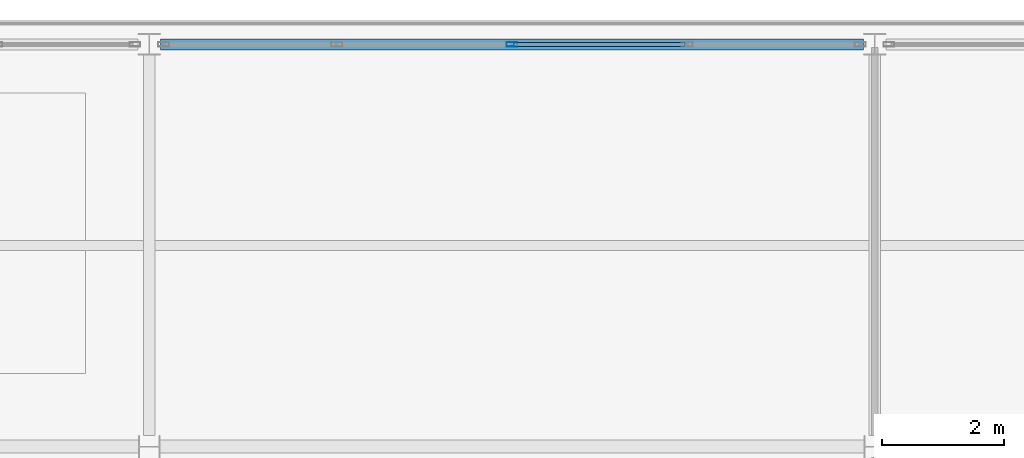
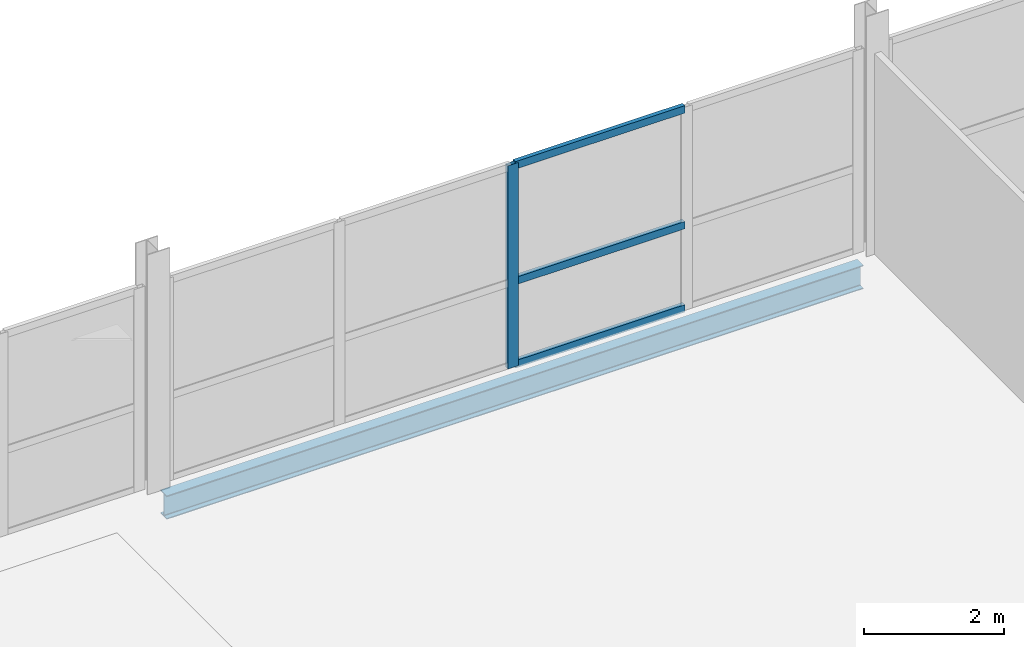
# One storey, part 8 of 17: 4 members, 1 beam, 1 element without a shape of its own.
"""IFC4 building model written with IfcOpenShell, lengths in metres."""

from ifc_helpers import new_model, si_unit, direction, frame, origin, origin_2d, place, context, subcontext, project, spatial, hollow_rectangle, i_section, extrude, material, layer, layer_set, material_profile, profile_set, type_object, element, aggregate, save


model = new_model("IFC4")

# Units and contexts
model_context = context("Model", 3, precision=1e-05, world=origin(), true_north=direction((0.0, 1.0)))
body_context = subcontext(model_context, "Body", "Model", "MODEL_VIEW")
ifc_project = project(units=[si_unit("LENGTHUNIT", "METRE"), si_unit("AREAUNIT", "SQUARE_METRE"), si_unit("VOLUMEUNIT", "CUBIC_METRE"), si_unit("PLANEANGLEUNIT", "RADIAN"), si_unit("MASSUNIT", "GRAM", prefix="KILO")], contexts=[model_context])

# Site, building, storey
site_placement = place(None, origin())
site = spatial("IfcSite", under=ifc_project, at=site_placement, CompositionType="ELEMENT")
building_placement = place(site_placement, origin())
building = spatial("IfcBuilding", under=site, at=building_placement, Name="Quillay Park Conservatory", CompositionType="ELEMENT")
storey_placement = place(building_placement, frame((0.0, 0.0, 56.10009765625)))
storey = spatial("IfcBuildingStorey", under=building, at=storey_placement, Name="L13", CompositionType="ELEMENT", Elevation=56.10009765625)

# Curtain wall, members
ifc_material_1 = material(Name="Thermally Broken Anodised Aluminium 6063-T6", Category="aluminium")
ifc_layer = layer(ifc_material_1, 0.179931640625)
ifc_layer_set = layer_set([ifc_layer], Name="UNITISED CURTAIN WALL TOWER (Thermally Broken Anodised Aluminium 6063-T6)")
curtain_wall_type = type_object("IfcCurtainWallType", Name="UNITISED CURTAIN WALL TOWER", PredefinedType="USERDEFINED", material=ifc_layer_set)
curtain_wall_placement = place(storey_placement, origin())
curtain_wall = element("IfcCurtainWall", 1, at=curtain_wall_placement, inside=storey, type_object=curtain_wall_type, Name="L13 Unitised Curtain Wall 129", ObjectType="UNITISED CURTAIN WALL", PredefinedType="USERDEFINED")
ifc_material_2 = material(Name="Thermally Broken Anodised Aluminium 6063-T6", Category="aluminium")
ifc_material_profile_1 = material_profile(ifc_material_2, hollow_rectangle(XDim=0.070068359375, YDim=0.179931640625, WallThickness=0.00390625, at=origin_2d()), Name="AL70x180x4")
ifc_profile_set_1 = profile_set([ifc_material_profile_1], Name="Thermally Broken Anodised Aluminium 6063-T6")
member_type_1 = type_object("IfcMemberType", Name="CURTAIN WALL MULLION 70 X180", PredefinedType="MULLION", material=ifc_profile_set_1)
member_1_placement = place(storey_placement, frame((13.800048828125, 113.39990234375, 0.0), z_axis=(0.0, 0.0, 1.0), x_axis=(0.0, 1.0, 0.0)))
member_1 = element("IfcMember", 2, at=member_1_placement, type_object=member_type_1, Name="CW-T1 mullion 3", PredefinedType="MULLION", context=body_context, shape_type="SweptSolid", body=[
    extrude(hollow_rectangle(XDim=0.070068359375, YDim=0.179931640625, WallThickness=0.00390625, at=origin_2d()), origin(), (0.0, 0.0, 1.0), 3.553955078125),
])
ifc_material_3 = material(Name="Thermally Broken Anodised Aluminium 6063-T6", Category="aluminium")
ifc_material_profile_2 = material_profile(ifc_material_3, hollow_rectangle(XDim=0.070068359375, YDim=0.1298828125, WallThickness=0.003173828125, at=origin_2d()), Name="AL70x130x3.2")
ifc_profile_set_2 = profile_set([ifc_material_profile_2], Name="Thermally Broken Anodised Aluminium 6063-T6")
member_type_2 = type_object("IfcMemberType", Name="CURTAIN WALL TRANSOM 70 X130", PredefinedType="USERDEFINED", material=ifc_profile_set_2)
member_2_placement = place(storey_placement, frame((13.8349609375, 113.39990234375, 0.034912109375), z_axis=(1.0, 0.0, 0.0), x_axis=(0.0, 1.0, 0.0)))
member_2 = element("IfcMember", 3, at=member_2_placement, type_object=member_type_2, Name="CW-T1 transom 3.1", ObjectType="TRANSOM", PredefinedType="USERDEFINED", context=body_context, shape_type="SweptSolid", body=[
    extrude(hollow_rectangle(XDim=0.070068359375, YDim=0.1298828125, WallThickness=0.003173828125, at=origin_2d()), origin(), (0.0, 0.0, 1.0), 2.804931640625),
])
member_3_placement = place(storey_placement, frame((13.8349609375, 113.39990234375, 1.49267578125), z_axis=(1.0, 0.0, 0.0), x_axis=(0.0, 1.0, 0.0)))
member_3 = element("IfcMember", 4, at=member_3_placement, type_object=member_type_2, Name="CW-T1 transom 3.2", ObjectType="TRANSOM", PredefinedType="USERDEFINED", context=body_context, shape_type="SweptSolid", body=[
    extrude(hollow_rectangle(XDim=0.070068359375, YDim=0.1298828125, WallThickness=0.003173828125, at=origin_2d()), origin(), (0.0, 0.0, 1.0), 2.804931640625),
])
member_4_placement = place(storey_placement, frame((13.8349609375, 113.39990234375, 3.518798828125), z_axis=(1.0, 0.0, 0.0), x_axis=(0.0, 1.0, 0.0)))
member_4 = element("IfcMember", 5, at=member_4_placement, type_object=member_type_2, Name="CW-T1 transom 3.3", ObjectType="TRANSOM", PredefinedType="USERDEFINED", context=body_context, shape_type="SweptSolid", body=[
    extrude(hollow_rectangle(XDim=0.070068359375, YDim=0.1298828125, WallThickness=0.003173828125, at=origin_2d()), origin(), (0.0, 0.0, 1.0), 2.804931640625),
])
aggregate(curtain_wall, [member_1, member_2, member_3, member_4])

# Beam
ifc_material_4 = material(Name="Steel ASTM A992 Grade 50", Category="steel")
ifc_material_profile_3 = material_profile(ifc_material_4, i_section(OverallWidth=0.179931640625, OverallDepth=0.4130859375, WebThickness=0.009765625, FlangeThickness=0.01611328125, FilletRadius=0.011962890625, at=origin_2d()), Name="W410x74")
ifc_profile_set_3 = profile_set([ifc_material_profile_3], Name="Steel ASTM A992 Grade 50")
beam_type = type_object("IfcBeamType", Name="PERIMETER SPANDREL BEAM W410 X74", PredefinedType="SPANDREL", material=ifc_profile_set_3)
beam_placement = place(storey_placement, frame((8.034423828125, 113.39990234375, -0.406494140625), z_axis=(1.0, 0.0, 0.0), x_axis=(0.0, 1.0, 0.0)))
element("IfcBeam", 6, at=beam_placement, inside=storey, type_object=beam_type, Name="L13 beam BM-SP-0901", PredefinedType="SPANDREL", context=body_context, shape_type="SweptSolid", body=[
    extrude(i_section(OverallWidth=0.179931640625, OverallDepth=0.4130859375, WebThickness=0.009765625, FlangeThickness=0.01611328125, FilletRadius=0.011962890625, at=origin_2d()), origin(), (0.0, 0.0, 1.0), 11.531005859375),
])

save(model, "model.ifc")
